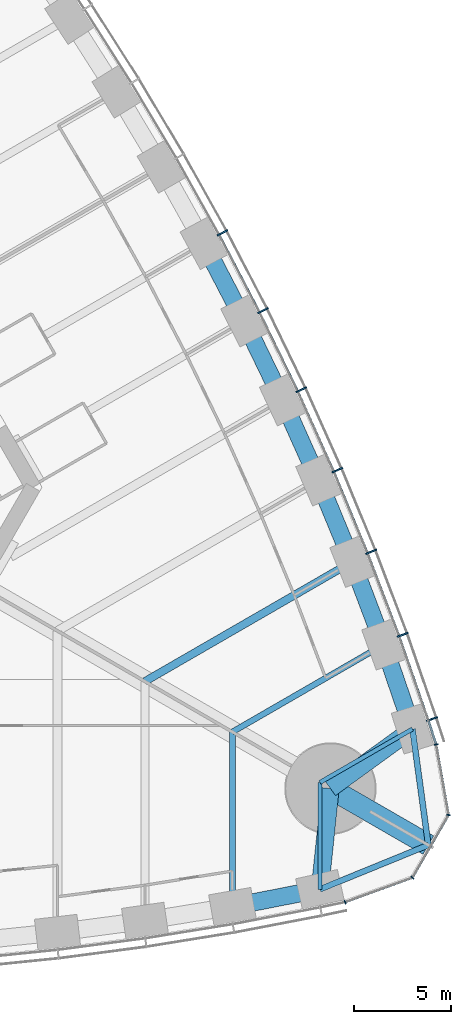
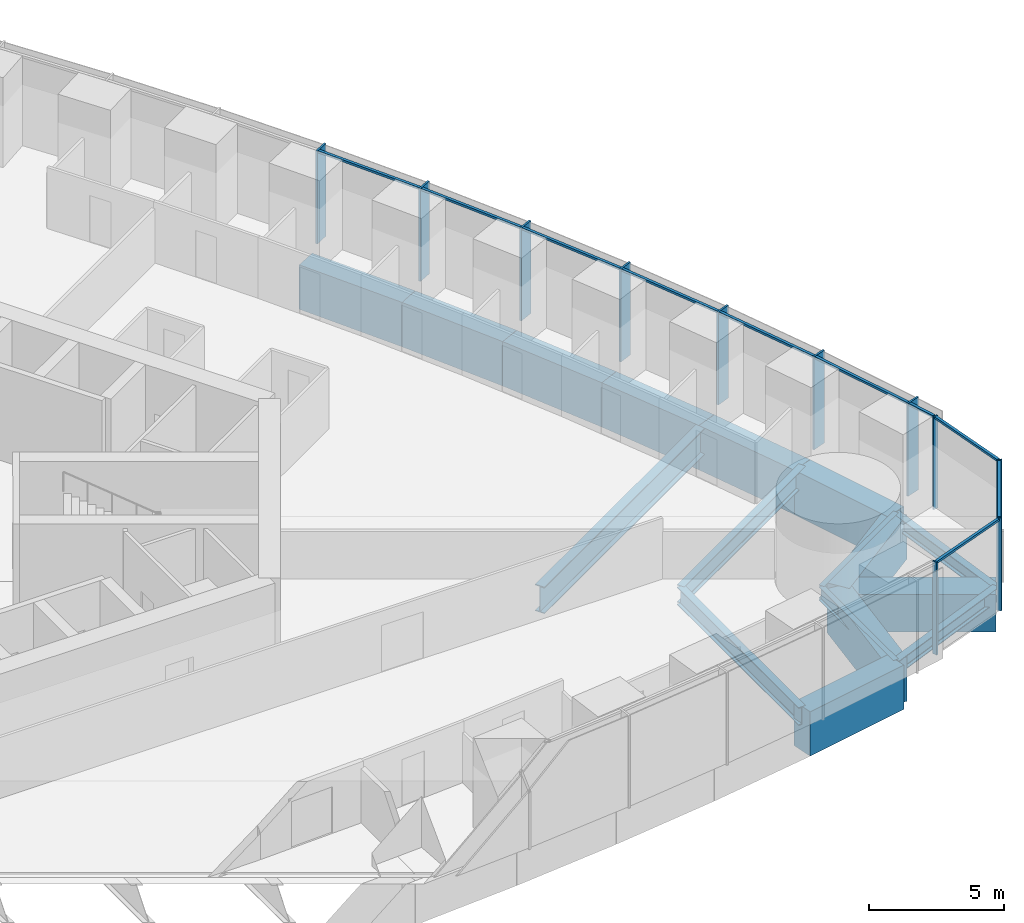
# One storey, part 6 of 19: 21 members, 17 beams, 2 elements without a shape of their own.
"""IFC4 building model written with IfcOpenShell, lengths in metres."""

from ifc_helpers import new_model, si_unit, direction, frame, origin, origin_2d, place, context, subcontext, project, spatial, rectangle, i_section, extrude, material, material_profile, profile_set, type_object, element, aggregate, save


model = new_model("IFC4")

# Units and contexts
model_context = context("Model", 3, precision=1e-05, world=origin(), true_north=direction((0.0, 1.0)))
body_context = subcontext(model_context, "Body", "Model", "MODEL_VIEW")
ifc_project = project(units=[si_unit("LENGTHUNIT", "METRE"), si_unit("AREAUNIT", "SQUARE_METRE"), si_unit("VOLUMEUNIT", "CUBIC_METRE"), si_unit("PLANEANGLEUNIT", "RADIAN"), si_unit("MASSUNIT", "GRAM", prefix="KILO")], contexts=[model_context])

# Site, building, storey
site_placement = place(None, origin())
site = spatial("IfcSite", under=ifc_project, at=site_placement, CompositionType="ELEMENT")
building_placement = place(site_placement, origin())
building = spatial("IfcBuilding", under=site, at=building_placement, Name="Trefoil Bronze Tower", CompositionType="ELEMENT")
storey_placement = place(building_placement, frame((0.0, 0.0, 83.699951171875)))
storey = spatial("IfcBuildingStorey", under=building, at=storey_placement, Name="L19", CompositionType="ELEMENT", Elevation=83.699951171875)

# Curtain wall, members
ifc_material_1 = material(Name="Tinted solar-control glass", Category="glass")
curtain_wall_type_1 = type_object("IfcCurtainWallType", Name="Bronze office curtain wall", PredefinedType="USERDEFINED", material=ifc_material_1)
curtain_wall_1_placement = place(storey_placement, origin())
curtain_wall_1 = element("IfcCurtainWall", 1, at=curtain_wall_1_placement, inside=storey, type_object=curtain_wall_type_1, Name="CW-A L19 F2", ObjectType="CURTAIN WALL", PredefinedType="USERDEFINED")
ifc_material_2 = material(Name="Bronze-finish aluminium", Category="aluminium")
ifc_material_profile_1 = material_profile(ifc_material_2, rectangle(XDim=0.60009765625, YDim=0.080078125, at=origin_2d()), Name="CW-A mullion")
ifc_profile_set_1 = profile_set([ifc_material_profile_1], Name="Bronze-finish aluminium")
member_type_1 = type_object("IfcMemberType", Name="Bronze office curtain wall mullion", PredefinedType="MULLION", material=ifc_profile_set_1)
member_1_placement = place(storey_placement, frame((37.265869140625, -14.92626953125, 0.0), z_axis=(0.0, 0.0, 1.0), x_axis=(-0.947850592929, -0.318715003543, 0.0)))
member_1 = element("IfcMember", 2, at=member_1_placement, type_object=member_type_1, Name="CW-A L19 F2 mullion 2", PredefinedType="MULLION", context=body_context, shape_type="SweptSolid", body=[
    extrude(rectangle(XDim=0.60009765625, YDim=0.080078125, at=origin_2d()), origin(), (0.0, 0.0, 1.0), 4.179931640625),
])
member_2_placement = place(storey_placement, frame((35.761962890625, -10.590087890625, 0.0), z_axis=(0.0, 0.0, 1.0), x_axis=(-0.939860248316, -0.341559238839, 0.0)))
member_2 = element("IfcMember", 3, at=member_2_placement, type_object=member_type_1, Name="CW-A L19 F2 mullion 3", PredefinedType="MULLION", context=body_context, shape_type="SweptSolid", body=[
    extrude(rectangle(XDim=0.60009765625, YDim=0.080078125, at=origin_2d()), origin(), (0.0, 0.0, 1.0), 4.179931640625),
])
member_3_placement = place(storey_placement, frame((34.138916015625, -6.32080078125, 0.0), z_axis=(0.0, 0.0, 1.0), x_axis=(-0.929413605838, -0.369039766534, 0.0)))
member_3 = element("IfcMember", 4, at=member_3_placement, type_object=member_type_1, Name="CW-A L19 F2 mullion 4", PredefinedType="MULLION", context=body_context, shape_type="SweptSolid", body=[
    extrude(rectangle(XDim=0.60009765625, YDim=0.080078125, at=origin_2d()), origin(), (0.0, 0.0, 1.0), 4.179931640625),
])
member_4_placement = place(storey_placement, frame((32.39892578125, -2.119384765625, 0.0), z_axis=(0.0, 0.0, 1.0), x_axis=(-0.918213748442, -0.396085233469, 0.0)))
member_4 = element("IfcMember", 5, at=member_4_placement, type_object=member_type_1, Name="CW-A L19 F2 mullion 5", PredefinedType="MULLION", context=body_context, shape_type="SweptSolid", body=[
    extrude(rectangle(XDim=0.60009765625, YDim=0.080078125, at=origin_2d()), origin(), (0.0, 0.0, 1.0), 4.179931640625),
])
member_5_placement = place(storey_placement, frame((30.543212890625, 2.015380859375, 0.0), z_axis=(0.0, 0.0, 1.0), x_axis=(-0.906269346572, -0.422700687798, 0.0)))
member_5 = element("IfcMember", 6, at=member_5_placement, type_object=member_type_1, Name="CW-A L19 F2 mullion 6", PredefinedType="MULLION", context=body_context, shape_type="SweptSolid", body=[
    extrude(rectangle(XDim=0.60009765625, YDim=0.080078125, at=origin_2d()), origin(), (0.0, 0.0, 1.0), 4.179931640625),
])
member_6_placement = place(storey_placement, frame((28.57275390625, 6.084228515625, 0.0), z_axis=(0.0, 0.0, 1.0), x_axis=(-0.893587025891, -0.448889994497, 0.0)))
member_6 = element("IfcMember", 7, at=member_6_placement, type_object=member_type_1, Name="CW-A L19 F2 mullion 7", PredefinedType="MULLION", context=body_context, shape_type="SweptSolid", body=[
    extrude(rectangle(XDim=0.60009765625, YDim=0.080078125, at=origin_2d()), origin(), (0.0, 0.0, 1.0), 4.179931640625),
])
member_7_placement = place(storey_placement, frame((26.488525390625, 10.0869140625, 0.0), z_axis=(0.0, 0.0, 1.0), x_axis=(-0.880171454588, -0.474655886437, 0.0)))
member_7 = element("IfcMember", 8, at=member_7_placement, type_object=member_type_1, Name="CW-A L19 F2 mullion 8", PredefinedType="MULLION", context=body_context, shape_type="SweptSolid", body=[
    extrude(rectangle(XDim=0.60009765625, YDim=0.080078125, at=origin_2d()), origin(), (0.0, 0.0, 1.0), 4.179931640625),
])
ifc_material_3 = material(Name="Bronze-finish aluminium", Category="aluminium")
ifc_material_profile_2 = material_profile(ifc_material_3, rectangle(XDim=0.1201171875, YDim=0.10009765625, at=origin_2d()), Name="CW-A transom")
ifc_profile_set_2 = profile_set([ifc_material_profile_2], Name="Bronze-finish aluminium")
member_type_2 = type_object("IfcMemberType", Name="Bronze office curtain wall transom", PredefinedType="USERDEFINED", material=ifc_profile_set_2)
member_8_placement = place(storey_placement, frame((37.4638671875, -16.1796875, 4.130126953125), z_axis=(-0.309624219148, 0.950859002648, 0.0), x_axis=(-0.950859002648, -0.309624219148, 0.0)))
member_8 = element("IfcMember", 9, at=member_8_placement, type_object=member_type_2, Name="CW-A L19 F2 transom 1", ObjectType="TRANSOM", PredefinedType="USERDEFINED", context=body_context, shape_type="SweptSolid", body=[
    extrude(rectangle(XDim=0.1201171875, YDim=0.10009765625, at=origin_2d()), origin(), (0.0, 0.0, 1.0), 1.21044921875),
])
member_9_placement = place(storey_placement, frame((37.06298828125, -14.951171875, 4.130126953125), z_axis=(-0.327689728493, 0.944785394595, 0.0), x_axis=(-0.944785394595, -0.327689728493, 0.0)))
member_9 = element("IfcMember", 10, at=member_9_placement, type_object=member_type_2, Name="CW-A L19 F2 transom 2", ObjectType="TRANSOM", PredefinedType="USERDEFINED", context=body_context, shape_type="SweptSolid", body=[
    extrude(rectangle(XDim=0.1201171875, YDim=0.10009765625, at=origin_2d()), origin(), (0.0, 0.0, 1.0), 4.502197265625),
])
member_10_placement = place(storey_placement, frame((35.559326171875, -10.61962890625, 4.130126953125), z_axis=(-0.355367327392, 0.934726731522, 0.0), x_axis=(-0.934726731522, -0.355367327392, 0.0)))
member_10 = element("IfcMember", 11, at=member_10_placement, type_object=member_type_2, Name="CW-A L19 F2 transom 3", ObjectType="TRANSOM", PredefinedType="USERDEFINED", context=body_context, shape_type="SweptSolid", body=[
    extrude(rectangle(XDim=0.1201171875, YDim=0.10009765625, at=origin_2d()), origin(), (0.0, 0.0, 1.0), 4.478515625),
])
member_11_placement = place(storey_placement, frame((33.937255859375, -6.3564453125, 4.130126953125), z_axis=(-0.382616149417, 0.923907399151, 0.0), x_axis=(-0.923907399151, -0.382616149417, 0.0)))
member_11 = element("IfcMember", 12, at=member_11_placement, type_object=member_type_2, Name="CW-A L19 F2 transom 4", ObjectType="TRANSOM", PredefinedType="USERDEFINED", context=body_context, shape_type="SweptSolid", body=[
    extrude(rectangle(XDim=0.1201171875, YDim=0.10009765625, at=origin_2d()), origin(), (0.0, 0.0, 1.0), 4.458984375),
])
member_12_placement = place(storey_placement, frame((32.1982421875, -2.16064453125, 4.130126953125), z_axis=(-0.409459746452, 0.912328184392, 0.0), x_axis=(-0.912328184392, -0.409459746452, 0.0)))
member_12 = element("IfcMember", 13, at=member_12_placement, type_object=member_type_2, Name="CW-A L19 F2 transom 5", ObjectType="TRANSOM", PredefinedType="USERDEFINED", context=body_context, shape_type="SweptSolid", body=[
    extrude(rectangle(XDim=0.1201171875, YDim=0.10009765625, at=origin_2d()), origin(), (0.0, 0.0, 1.0), 4.443359375),
])
member_13_placement = place(storey_placement, frame((30.34375, 1.96826171875, 4.130126953125), z_axis=(-0.435851763293, 0.900018466719, 0.0), x_axis=(-0.900018466719, -0.435851763293, 0.0)))
member_13 = element("IfcMember", 14, at=member_13_placement, type_object=member_type_2, Name="CW-A L19 F2 transom 6", ObjectType="TRANSOM", PredefinedType="USERDEFINED", context=body_context, shape_type="SweptSolid", body=[
    extrude(rectangle(XDim=0.1201171875, YDim=0.10009765625, at=origin_2d()), origin(), (0.0, 0.0, 1.0), 4.431884765625),
])
member_14_placement = place(storey_placement, frame((28.375, 6.031005859375, 4.130126953125), z_axis=(-0.461809621225, 0.886979071762, 0.0), x_axis=(-0.886979071762, -0.461809621225, 0.0)))
member_14 = element("IfcMember", 15, at=member_14_placement, type_object=member_type_2, Name="CW-A L19 F2 transom 7", ObjectType="TRANSOM", PredefinedType="USERDEFINED", context=body_context, shape_type="SweptSolid", body=[
    extrude(rectangle(XDim=0.1201171875, YDim=0.10009765625, at=origin_2d()), origin(), (0.0, 0.0, 1.0), 4.42431640625),
])
aggregate(curtain_wall_1, [member_1, member_2, member_3, member_4, member_5, member_6, member_7, member_8, member_9, member_10, member_11, member_12, member_13, member_14])

ifc_material_4 = material(Name="Tinted solar-control glass", Category="glass")
curtain_wall_type_2 = type_object("IfcCurtainWallType", Name="Bronze rounded corner curtain wall", PredefinedType="USERDEFINED", material=ifc_material_4)
curtain_wall_2_placement = place(storey_placement, origin())
curtain_wall_2 = element("IfcCurtainWall", 16, at=curtain_wall_2_placement, inside=storey, type_object=curtain_wall_type_2, Name="CW-B L19 K1", ObjectType="CURTAIN WALL", PredefinedType="USERDEFINED")
ifc_material_5 = material(Name="Bronze-finish aluminium", Category="aluminium")
ifc_material_profile_3 = material_profile(ifc_material_5, rectangle(XDim=0.199951171875, YDim=0.06005859375, at=origin_2d()), Name="CW-B mullion")
ifc_profile_set_3 = profile_set([ifc_material_profile_3], Name="Bronze-finish aluminium")
member_type_3 = type_object("IfcMemberType", Name="Bronze rounded corner curtain wall mullion", PredefinedType="MULLION", material=ifc_profile_set_3)
member_15_placement = place(storey_placement, frame((32.796630859375, -24.3427734375, 0.0), z_axis=(0.0, 0.0, 1.0), x_axis=(-0.342020143326, 0.939692620786, 0.0)))
member_15 = element("IfcMember", 17, at=member_15_placement, type_object=member_type_3, Name="CW-B L19 K1 mullion 1", PredefinedType="MULLION", context=body_context, shape_type="SweptSolid", body=[
    extrude(rectangle(XDim=0.199951171875, YDim=0.06005859375, at=origin_2d()), origin(), (0.0, 0.0, 1.0), 4.179931640625),
])
member_16_placement = place(storey_placement, frame((36.2548828125, -23.07763671875, 0.0), z_axis=(0.0, 0.0, 1.0), x_axis=(-0.642787609687, 0.766044443119, 0.0)))
member_16 = element("IfcMember", 18, at=member_16_placement, type_object=member_type_3, Name="CW-B L19 K1 mullion 2", PredefinedType="MULLION", context=body_context, shape_type="SweptSolid", body=[
    extrude(rectangle(XDim=0.199951171875, YDim=0.06005859375, at=origin_2d()), origin(), (0.0, 0.0, 1.0), 4.179931640625),
])
member_17_placement = place(storey_placement, frame((38.11328125, -19.85888671875, 0.0), z_axis=(0.0, 0.0, 1.0), x_axis=(-0.984807753012, 0.173648177667, 0.0)))
member_17 = element("IfcMember", 19, at=member_17_placement, type_object=member_type_3, Name="CW-B L19 K1 mullion 3", PredefinedType="MULLION", context=body_context, shape_type="SweptSolid", body=[
    extrude(rectangle(XDim=0.199951171875, YDim=0.06005859375, at=origin_2d()), origin(), (0.0, 0.0, 1.0), 4.179931640625),
])
member_18_placement = place(storey_placement, frame((37.479736328125, -16.2314453125, 0.0), z_axis=(0.0, 0.0, 1.0), x_axis=(-0.984807753012, -0.173648177667, 0.0)))
member_18 = element("IfcMember", 20, at=member_18_placement, type_object=member_type_3, Name="CW-B L19 K1 mullion 4", PredefinedType="MULLION", context=body_context, shape_type="SweptSolid", body=[
    extrude(rectangle(XDim=0.199951171875, YDim=0.06005859375, at=origin_2d()), origin(), (0.0, 0.0, 1.0), 4.179931640625),
])
ifc_material_6 = material(Name="Bronze-finish aluminium", Category="aluminium")
ifc_material_profile_4 = material_profile(ifc_material_6, rectangle(XDim=0.1201171875, YDim=0.10009765625, at=origin_2d()), Name="CW-B transom")
ifc_profile_set_4 = profile_set([ifc_material_profile_4], Name="Bronze-finish aluminium")
member_type_4 = type_object("IfcMemberType", Name="Bronze rounded corner curtain wall transom", PredefinedType="USERDEFINED", material=ifc_profile_set_4)
member_19_placement = place(storey_placement, frame((32.82470703125, -24.33251953125, 4.130126953125), z_axis=(0.939688092095, 0.342032585545, 0.0), x_axis=(-0.342032585545, 0.939688092095, 0.0)))
member_19 = element("IfcMember", 21, at=member_19_placement, type_object=member_type_4, Name="CW-B L19 K1 transom 1", ObjectType="TRANSOM", PredefinedType="USERDEFINED", context=body_context, shape_type="SweptSolid", body=[
    extrude(rectangle(XDim=0.1201171875, YDim=0.10009765625, at=origin_2d()), origin(), (0.0, 0.0, 1.0), 3.588134765625),
])
member_20_placement = place(storey_placement, frame((36.292236328125, -23.02490234375, 4.130126953125), z_axis=(0.500024788772, 0.866011091507, 0.0), x_axis=(-0.866011091507, 0.500024788772, 0.0)))
member_20 = element("IfcMember", 22, at=member_20_placement, type_object=member_type_4, Name="CW-B L19 K1 transom 2", ObjectType="TRANSOM", PredefinedType="USERDEFINED", context=body_context, shape_type="SweptSolid", body=[
    extrude(rectangle(XDim=0.1201171875, YDim=0.10009765625, at=origin_2d()), origin(), (0.0, 0.0, 1.0), 3.588134765625),
])
member_21_placement = place(storey_placement, frame((38.10791015625, -19.794677734375, 4.130126953125), z_axis=(-0.17363783606, 0.984809576461, 0.0), x_axis=(-0.984809576461, -0.17363783606, 0.0)))
member_21 = element("IfcMember", 23, at=member_21_placement, type_object=member_type_4, Name="CW-B L19 K1 transom 3", ObjectType="TRANSOM", PredefinedType="USERDEFINED", context=body_context, shape_type="SweptSolid", body=[
    extrude(rectangle(XDim=0.1201171875, YDim=0.10009765625, at=origin_2d()), origin(), (0.0, 0.0, 1.0), 3.588134765625),
])
aggregate(curtain_wall_2, [member_15, member_16, member_17, member_18, member_19, member_20, member_21])

# Beams
ifc_material_7 = material(Name="Concrete B80", Category="concrete")
ifc_material_profile_5 = material_profile(ifc_material_7, rectangle(XDim=1.10009765625, YDim=1.699951171875, at=origin_2d()), Name="RC 1100x1700")
ifc_profile_set_5 = profile_set([ifc_material_profile_5], Name="Concrete B80")
beam_type_1 = type_object("IfcBeamType", Name="Corner cantilever RC 1100x1700", PredefinedType="BEAM", material=ifc_profile_set_5)
beam_1_placement = place(storey_placement, frame((32.04296875, -18.5, -1.050048828125), z_axis=(0.866030348588, -0.499991435252, 0.0), x_axis=(0.499991435252, 0.866030348588, 0.0)))
element("IfcBeam", 24, at=beam_1_placement, inside=storey, type_object=beam_type_1, Name="Corner cantilever K1 L19", PredefinedType="BEAM", context=body_context, shape_type="SweptSolid", body=[
    extrude(rectangle(XDim=1.10009765625, YDim=1.699951171875, at=origin_2d()), origin(), (0.0, 0.0, 1.0), 5.81396484375),
])
ifc_material_8 = material(Name="Steel C355", Category="steel")
ifc_material_profile_6 = material_profile(ifc_material_8, i_section(OverallWidth=0.300048828125, OverallDepth=0.60009765625, WebThickness=0.015380859375, FlangeThickness=0.030029296875, FilletRadius=0.027099609375, at=origin_2d()), Name="HEB 600")
ifc_profile_set_6 = profile_set([ifc_material_profile_6], Name="Steel C355")
beam_type_2 = type_object("IfcBeamType", Name="Corner edge beam HEB 600", PredefinedType="BEAM", material=ifc_profile_set_6)
beam_2_placement = place(storey_placement, frame((31.5, -23.684814453125, -0.5), z_axis=(0.925786874353, 0.378045848114, 0.0), x_axis=(-0.378045848114, 0.925786874353, 0.0)))
element("IfcBeam", 25, at=beam_2_placement, inside=storey, type_object=beam_type_2, Name="Corner edge beam F1A L19", PredefinedType="BEAM", context=body_context, shape_type="SweptSolid", body=[
    extrude(i_section(OverallWidth=0.300048828125, OverallDepth=0.60009765625, WebThickness=0.015380859375, FlangeThickness=0.030029296875, FilletRadius=0.027099609375, at=origin_2d()), origin(), (0.0, 0.0, 1.0), 6.025390625),
])
beam_3_placement = place(storey_placement, frame((36.26171875, -15.4375, -0.5), z_axis=(0.13550196505, -0.990777077585, 0.0), x_axis=(0.990777077585, 0.13550196505, 0.0)))
element("IfcBeam", 26, at=beam_3_placement, inside=storey, type_object=beam_type_2, Name="Corner edge beam F2B L19", PredefinedType="BEAM", context=body_context, shape_type="SweptSolid", body=[
    extrude(i_section(OverallWidth=0.300048828125, OverallDepth=0.60009765625, WebThickness=0.015380859375, FlangeThickness=0.030029296875, FilletRadius=0.027099609375, at=origin_2d()), origin(), (0.0, 0.0, 1.0), 6.025146484375),
])
ifc_material_9 = material(Name="Concrete B80", Category="concrete")
ifc_material_profile_7 = material_profile(ifc_material_9, rectangle(XDim=0.89990234375, YDim=2.0, at=origin_2d()), Name="RC 900x2000")
ifc_profile_set_7 = profile_set([ifc_material_profile_7], Name="Concrete B80")
beam_type_3 = type_object("IfcBeamType", Name="End spandrel beam RC 900x2000", PredefinedType="SPANDREL", material=ifc_profile_set_7)
for number, where, z_axis, x_axis, name in (
    (27, (31.5, -23.684814453125, -1.199951171875), (0.104153327908, 0.994561252154, 0.0), (-0.994561252154, 0.104153327908, 0.0), "Spandrel F1.16 L19"),
    (28, (32.04296875, -18.5, -1.199951171875), (0.809254211267, 0.587458612624, 0.0), (-0.587458612624, 0.809254211267, 0.0), "Spandrel F2.1 L19"),
):
    element("IfcBeam", number, at=place(storey_placement, frame(where, z_axis=z_axis, x_axis=x_axis)), inside=storey, type_object=beam_type_3, Name=name, PredefinedType="SPANDREL", context=body_context, shape_type="SweptSolid", body=[
        extrude(rectangle(XDim=0.89990234375, YDim=2.0, at=origin_2d()), origin(), (0.0, 0.0, 1.0), 5.213134765625),
    ])
ifc_material_10 = material(Name="Steel C355", Category="steel")
ifc_material_profile_8 = material_profile(ifc_material_10, i_section(OverallWidth=0.300048828125, OverallDepth=0.800048828125, WebThickness=0.017578125, FlangeThickness=0.032958984375, FilletRadius=0.030029296875, at=origin_2d()), Name="HEB 800")
ifc_profile_set_8 = profile_set([ifc_material_profile_8], Name="Steel C355")
beam_type_4 = type_object("IfcBeamType", Name="Floor beam HEB 800", PredefinedType="BEAM", material=ifc_profile_set_8)
for number, where, z_axis, x_axis, name in (
    (29, (27.0, -24.56787109375, -0.599853515625), (0.0, 1.0, 0.0), (-1.0, 0.0, 0.0), "Floor beam F1/+6 L19"),
    (30, (34.7763671875, -11.0986328125, -0.599853515625), (-0.866022587327, -0.500004878216, 0.0), (0.500004878216, -0.866022587327, 0.0), "Floor beam F2/-6 L19"),
):
    element("IfcBeam", number, at=place(storey_placement, frame(where, z_axis=z_axis, x_axis=x_axis)), inside=storey, type_object=beam_type_4, Name=name, PredefinedType="BEAM", context=body_context, shape_type="SweptSolid", body=[
        extrude(i_section(OverallWidth=0.300048828125, OverallDepth=0.800048828125, WebThickness=0.017578125, FlangeThickness=0.032958984375, FilletRadius=0.030029296875, at=origin_2d()), origin(), (0.0, 0.0, 1.0), 8.9794921875),
    ])
ifc_material_11 = material(Name="Steel C355", Category="steel")
ifc_material_profile_9 = material_profile(ifc_material_11, i_section(OverallWidth=0.219970703125, OverallDepth=0.60009765625, WebThickness=0.011962890625, FlangeThickness=0.01904296875, FilletRadius=0.02392578125, at=origin_2d()), Name="IPE 600")
ifc_profile_set_9 = profile_set([ifc_material_profile_9], Name="Steel C355")
beam_type_5 = type_object("IfcBeamType", Name="Floor beam IPE 600", PredefinedType="BEAM", material=ifc_profile_set_9)
for number, where, z_axis, x_axis, name in (
    (31, (31.5, -23.684814453125, -0.5), (0.0, 1.0, 0.0), (-1.0, 0.0, 0.0), "Floor beam F1/+7 L19"),
    (32, (36.26171875, -15.4375, -0.5), (-0.866037702141, -0.499978698016, 0.0), (0.499978698016, -0.866037702141, 0.0), "Floor beam F2/-7 L19"),
):
    element("IfcBeam", number, at=place(storey_placement, frame(where, z_axis=z_axis, x_axis=x_axis)), inside=storey, type_object=beam_type_5, Name=name, PredefinedType="BEAM", context=body_context, shape_type="SweptSolid", body=[
        extrude(i_section(OverallWidth=0.219970703125, OverallDepth=0.60009765625, WebThickness=0.011962890625, FlangeThickness=0.01904296875, FilletRadius=0.02392578125, at=origin_2d()), origin(), (0.0, 0.0, 1.0), 5.498291015625),
    ])
ifc_material_12 = material(Name="Steel C355", Category="steel")
ifc_material_profile_10 = material_profile(ifc_material_12, i_section(OverallWidth=0.39990234375, OverallDepth=1.199951171875, WebThickness=0.02001953125, FlangeThickness=0.0400390625, FilletRadius=0.010009765625, at=origin_2d()), Name="WPG 1200")
ifc_profile_set_10 = profile_set([ifc_material_profile_10], Name="Steel C355")
beam_type_6 = type_object("IfcBeamType", Name="Floor beam WPG 1200", PredefinedType="BEAM", material=ifc_profile_set_10)
beam_4_placement = place(storey_placement, frame((33.159912109375, -6.8359375, -0.800048828125), z_axis=(-0.866024070878, -0.500002308654, 0.0), x_axis=(0.500002308654, -0.866024070878, 0.0)))
element("IfcBeam", 33, at=beam_4_placement, inside=storey, type_object=beam_type_6, Name="Floor beam F2/-5 L19", PredefinedType="BEAM", context=body_context, shape_type="SweptSolid", body=[
    extrude(i_section(OverallWidth=0.39990234375, OverallDepth=1.199951171875, WebThickness=0.02001953125, FlangeThickness=0.0400390625, FilletRadius=0.010009765625, at=origin_2d()), origin(), (0.0, 0.0, 1.0), 12.30908203125),
])
ifc_material_13 = material(Name="Concrete B80", Category="concrete")
ifc_material_profile_11 = material_profile(ifc_material_13, rectangle(XDim=0.89990234375, YDim=2.0, at=origin_2d()), Name="RC 900x2000")
ifc_profile_set_11 = profile_set([ifc_material_profile_11], Name="Concrete B80")
beam_type_7 = type_object("IfcBeamType", Name="Spandrel beam RC 900x2000", PredefinedType="SPANDREL", material=ifc_profile_set_11)
beam_5_placement = place(storey_placement, frame((27.0, -24.56787109375, -1.199951171875), z_axis=(0.981284764092, 0.192562228283, 0.0), x_axis=(-0.192562228283, 0.981284764092, 0.0)))
element("IfcBeam", 34, at=beam_5_placement, inside=storey, type_object=beam_type_7, Name="Spandrel F1.15 L19", PredefinedType="SPANDREL", context=body_context, shape_type="SweptSolid", body=[
    extrude(rectangle(XDim=0.89990234375, YDim=2.0, at=origin_2d()), origin(), (0.0, 0.0, 1.0), 4.5859375),
])
beam_6_placement = place(storey_placement, frame((36.26171875, -15.4375, -1.199951171875), z_axis=(-0.323883319148, 0.946097032855, 0.0), x_axis=(-0.946097032855, -0.323883319148, 0.0)))
element("IfcBeam", 35, at=beam_6_placement, inside=storey, type_object=beam_type_7, Name="Spandrel F2.2 L19", PredefinedType="SPANDREL", context=body_context, shape_type="SweptSolid", body=[
    extrude(rectangle(XDim=0.89990234375, YDim=2.0, at=origin_2d()), origin(), (0.0, 0.0, 1.0), 4.586181640625),
])
beam_7_placement = place(storey_placement, frame((34.7763671875, -11.0986328125, -1.199951171875), z_axis=(-0.354571899767, 0.935028752443, 0.0), x_axis=(-0.935028752443, -0.354571899767, 0.0)))
element("IfcBeam", 36, at=beam_7_placement, inside=storey, type_object=beam_type_7, Name="Spandrel F2.3 L19", PredefinedType="SPANDREL", context=body_context, shape_type="SweptSolid", body=[
    extrude(rectangle(XDim=0.89990234375, YDim=2.0, at=origin_2d()), origin(), (0.0, 0.0, 1.0), 4.558837890625),
])
beam_8_placement = place(storey_placement, frame((33.159912109375, -6.8359375, -1.199951171875), z_axis=(-0.382020825144, 0.924153715113, 0.0), x_axis=(-0.924153715113, -0.382020825144, 0.0)))
element("IfcBeam", 37, at=beam_8_placement, inside=storey, type_object=beam_type_7, Name="Spandrel F2.4 L19", PredefinedType="SPANDREL", context=body_context, shape_type="SweptSolid", body=[
    extrude(rectangle(XDim=0.89990234375, YDim=2.0, at=origin_2d()), origin(), (0.0, 0.0, 1.0), 4.539306640625),
])
beam_9_placement = place(storey_placement, frame((31.42578125, -2.640869140625, -1.199951171875), z_axis=(-0.408945873044, 0.912558640812, 0.0), x_axis=(-0.912558640812, -0.408945873044, 0.0)))
element("IfcBeam", 38, at=beam_9_placement, inside=storey, type_object=beam_type_7, Name="Spandrel F2.5 L19", PredefinedType="SPANDREL", context=body_context, shape_type="SweptSolid", body=[
    extrude(rectangle(XDim=0.89990234375, YDim=2.0, at=origin_2d()), origin(), (0.0, 0.0, 1.0), 4.5234375),
])
beam_10_placement = place(storey_placement, frame((29.575927734375, 1.487060546875, -1.199951171875), z_axis=(-0.435510013583, 0.900183885697, 0.0), x_axis=(-0.900183885697, -0.435510013583, 0.0)))
element("IfcBeam", 39, at=beam_10_placement, inside=storey, type_object=beam_type_7, Name="Spandrel F2.6 L19", PredefinedType="SPANDREL", context=body_context, shape_type="SweptSolid", body=[
    extrude(rectangle(XDim=0.89990234375, YDim=2.0, at=origin_2d()), origin(), (0.0, 0.0, 1.0), 4.51220703125),
])
beam_11_placement = place(storey_placement, frame((27.61083984375, 5.548828125, -1.199951171875), z_axis=(-0.461637716615, 0.887068553495, 0.0), x_axis=(-0.887068553495, -0.461637716615, 0.0)))
element("IfcBeam", 40, at=beam_11_placement, inside=storey, type_object=beam_type_7, Name="Spandrel F2.7 L19", PredefinedType="SPANDREL", context=body_context, shape_type="SweptSolid", body=[
    extrude(rectangle(XDim=0.89990234375, YDim=2.0, at=origin_2d()), origin(), (0.0, 0.0, 1.0), 4.50439453125),
])

save(model, "model.ifc")
